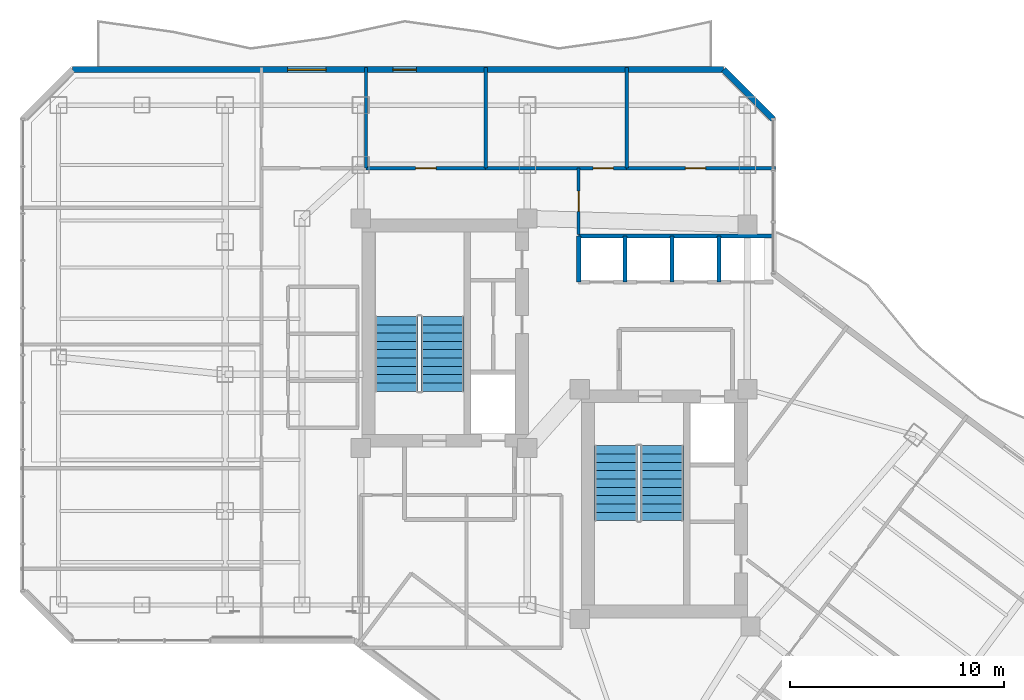
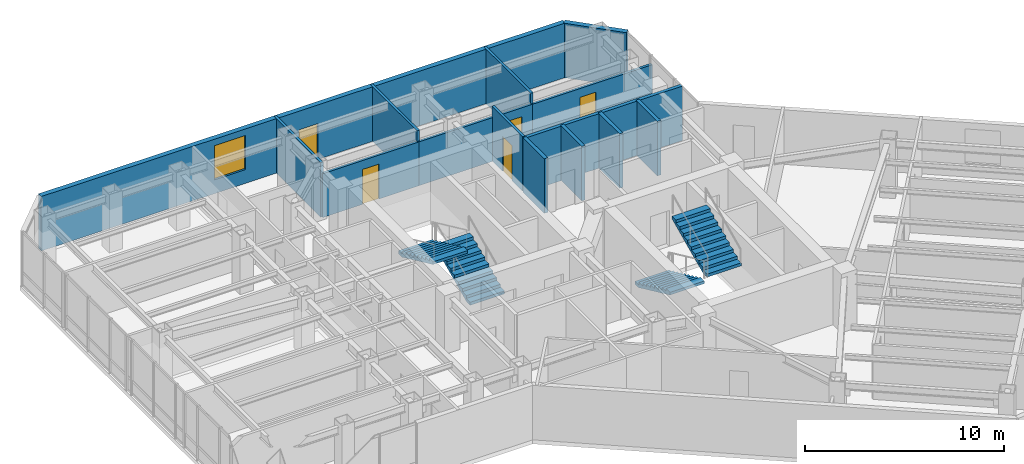
# One storey, part 24 of 27: 14 walls, 5 doors, 4 stair flights, 1 window, 6 openings, 2 elements without a shape of their own.
"""IFC4 building model written with IfcOpenShell, lengths in metres."""

from ifc_helpers import new_model, si_unit, direction, frame, frame_2d, origin, place, context, subcontext, project, spatial, polyline, rectangle, outline, extrude, material, layer, layer_set, type_object, element, fill, aggregate, save


model = new_model("IFC4")

# Units and contexts
model_context = context("Model", 3, precision=1e-05, world=origin(), true_north=direction((0.0, 1.0)))
body_context = subcontext(model_context, "Body", "Model", "MODEL_VIEW")
ifc_project = project(units=[si_unit("LENGTHUNIT", "METRE"), si_unit("AREAUNIT", "SQUARE_METRE"), si_unit("VOLUMEUNIT", "CUBIC_METRE"), si_unit("PLANEANGLEUNIT", "RADIAN"), si_unit("MASSUNIT", "GRAM", prefix="KILO")], contexts=[model_context])

# Site, building, storey
site_placement = place(None, origin())
site = spatial("IfcSite", under=ifc_project, at=site_placement, CompositionType="ELEMENT")
building_placement = place(site_placement, origin())
building = spatial("IfcBuilding", under=site, at=building_placement, Name="Hatsunagi Terrace Concourse", CompositionType="ELEMENT")
storey_placement = place(building_placement, frame((0.0, 0.0, 163.64990234375)))
storey = spatial("IfcBuildingStorey", under=building, at=storey_placement, Name="L43", CompositionType="ELEMENT", Elevation=163.64990234375)

# Wall
ifc_material_1 = material(Name="Acoustic mineral board", Category="gypsum")
ifc_layer_1 = layer(ifc_material_1, 0.14990234375)
ifc_layer_set_1 = layer_set([ifc_layer_1], Name="PartitionWall_EI60_150")
wall_type_1 = type_object("IfcWallType", Name="PartitionWall_EI60_150", PredefinedType="PARTITIONING", material=ifc_layer_set_1)
wall_1_placement = place(storey_placement, frame((25.800048828125, 45.64990234375, 0.0), z_axis=(0.0, 0.0, 1.0), x_axis=(0.0, 1.0, 0.0)))
element("IfcWall", 1, at=wall_1_placement, inside=storey, type_object=wall_type_1, Name="Interior Partition IW-L43-043", PredefinedType="PARTITIONING", context=body_context, shape_type="SweptSolid", body=[
    extrude(rectangle(XDim=4.710205078125, YDim=0.14990234375, at=frame_2d((2.35498046875, 0.0))), origin(), (0.0, 0.0, 1.0), 3.35009765625),
])

# Wall, opening, door
wall_2_placement = place(storey_placement, frame((25.800048828125, 45.64990234375, 0.0), z_axis=(0.0, 0.0, 1.0), x_axis=(1.0, 0.0, 0.0)))
wall_2 = element("IfcWall", 2, at=wall_2_placement, inside=storey, type_object=wall_type_1, Name="Interior Partition IW-L43-044", PredefinedType="PARTITIONING", context=body_context, shape_type="SweptSolid", body=[
    extrude(rectangle(XDim=5.599853515625, YDim=0.14990234375, at=frame_2d((2.7998046875, 0.0))), origin(), (0.0, 0.0, 1.0), 2.695068359375),
])
opening_1_placement = place(wall_2_placement, frame((2.324951171875, 0.0, 0.0)))
opening_1 = element("IfcOpeningElement", 3, at=opening_1_placement, cuts=wall_2, Name="Opening DR-095", PredefinedType="OPENING", context=body_context, shape_type="SweptSolid", body=[
    extrude(rectangle(XDim=0.949951171875, YDim=2.14990234375, at=frame_2d((0.47509765625, 1.074951171875))), frame((0.0, 0.0849609375, 0.0), z_axis=(0.0, -1.0, 0.0), x_axis=(1.0, 0.0, 0.0)), (0.0, 0.0, 1.0), 0.169921875),
])
ifc_material_2 = material(Name="Hardwood timber", Category="wood")
door_type_1 = type_object("IfcDoorType", Name="InteriorSuiteDoor_EI30_950", OperationType="NOTDEFINED", PredefinedType="DOOR", material=ifc_material_2)
door_1_placement = place(opening_1_placement, origin())
door_1 = element("IfcDoor", 4, at=door_1_placement, inside=storey, type_object=door_type_1, Name="Client Consultation Room L43-ON2 Door", OperationType="SINGLE_SWING_RIGHT", OverallHeight=2.14990234375, OverallWidth=0.949951171875, PredefinedType="DOOR", context=body_context, shape_type="SweptSolid", body=[
    extrude(rectangle(XDim=0.949951171875, YDim=2.14990234375, at=frame_2d((0.47509765625, 1.074951171875))), frame((0.0, 0.02490234375, 0.0), z_axis=(0.0, -1.0, 0.0), x_axis=(1.0, 0.0, 0.0)), (0.0, 0.0, 1.0), 0.050048828125),
])
fill(opening_1, door_1)

# Wall
wall_3_placement = place(storey_placement, frame((31.39990234375, 45.64990234375, 0.0), z_axis=(0.0, 0.0, 1.0), x_axis=(0.0, 1.0, 0.0)))
element("IfcWall", 5, at=wall_3_placement, inside=storey, type_object=wall_type_1, Name="Interior Partition IW-L43-045", PredefinedType="PARTITIONING", context=body_context, shape_type="SweptSolid", body=[
    extrude(rectangle(XDim=4.710205078125, YDim=0.14990234375, at=frame_2d((2.35498046875, 0.0))), origin(), (0.0, 0.0, 1.0), 3.35009765625),
])

# Wall, opening, door
wall_4_placement = place(storey_placement, frame((31.39990234375, 45.64990234375, 0.0), z_axis=(0.0, 0.0, 1.0), x_axis=(1.0, 0.0, 0.0)))
wall_4 = element("IfcWall", 6, at=wall_4_placement, inside=storey, type_object=wall_type_1, Name="Interior Partition IW-L43-046", PredefinedType="PARTITIONING", context=body_context, shape_type="SweptSolid", body=[
    extrude(rectangle(XDim=6.60009765625, YDim=0.14990234375, at=frame_2d((3.300048828125, 0.0))), origin(), (0.0, 0.0, 1.0), 2.695068359375),
])
opening_2_placement = place(wall_4_placement, frame((5.02587890625, 0.0, 0.0)))
opening_2 = element("IfcOpeningElement", 7, at=opening_2_placement, cuts=wall_4, Name="Opening DR-095", PredefinedType="OPENING", context=body_context, shape_type="SweptSolid", body=[
    extrude(rectangle(XDim=0.949951171875, YDim=2.14990234375, at=frame_2d((0.47509765625, 1.074951171875))), frame((0.0, 0.0849609375, 0.0), z_axis=(0.0, -1.0, 0.0), x_axis=(1.0, 0.0, 0.0)), (0.0, 0.0, 1.0), 0.169921875),
])
door_2_placement = place(opening_2_placement, origin())
door_2 = element("IfcDoor", 8, at=door_2_placement, inside=storey, type_object=door_type_1, Name="Meeting Room L43-ON3 Door", OperationType="SINGLE_SWING_RIGHT", OverallHeight=2.14990234375, OverallWidth=0.949951171875, PredefinedType="DOOR", context=body_context, shape_type="SweptSolid", body=[
    extrude(rectangle(XDim=0.949951171875, YDim=2.14990234375, at=frame_2d((0.47509765625, 1.074951171875))), frame((0.0, 0.02490234375, 0.0), z_axis=(0.0, -1.0, 0.0), x_axis=(1.0, 0.0, 0.0)), (0.0, 0.0, 1.0), 0.050048828125),
])
fill(opening_2, door_2)

# Wall
wall_5_placement = place(storey_placement, frame((38.0, 45.64990234375, 0.0), z_axis=(0.0, 0.0, 1.0), x_axis=(0.0, 1.0, 0.0)))
element("IfcWall", 9, at=wall_5_placement, inside=storey, type_object=wall_type_1, Name="Interior Partition IW-L43-047", PredefinedType="PARTITIONING", context=body_context, shape_type="SweptSolid", body=[
    extrude(rectangle(XDim=4.710205078125, YDim=0.14990234375, at=frame_2d((2.35498046875, 0.0))), origin(), (0.0, 0.0, 1.0), 3.35009765625),
])

# Wall, opening, door
wall_6_placement = place(storey_placement, frame((38.0, 45.64990234375, 0.0), z_axis=(0.0, 0.0, 1.0), x_axis=(1.0, 0.0, 0.0)))
wall_6 = element("IfcWall", 10, at=wall_6_placement, inside=storey, type_object=wall_type_1, Name="Interior Partition IW-L43-048", PredefinedType="PARTITIONING", context=body_context, shape_type="SweptSolid", body=[
    extrude(rectangle(XDim=6.9599609375, YDim=0.14990234375, at=frame_2d((3.47998046875, 0.0))), origin(), (0.0, 0.0, 1.0), 2.695068359375),
])
opening_3_placement = place(wall_6_placement, frame((2.742919921875, 0.0, 0.0)))
opening_3 = element("IfcOpeningElement", 11, at=opening_3_placement, cuts=wall_6, Name="Opening DR-095", PredefinedType="OPENING", context=body_context, shape_type="SweptSolid", body=[
    extrude(rectangle(XDim=0.949951171875, YDim=2.14990234375, at=frame_2d((0.47509765625, 1.074951171875))), frame((0.0, 0.0849609375, 0.0), z_axis=(0.0, -1.0, 0.0), x_axis=(1.0, 0.0, 0.0)), (0.0, 0.0, 1.0), 0.169921875),
])
door_3_placement = place(opening_3_placement, origin())
door_3 = element("IfcDoor", 12, at=door_3_placement, inside=storey, type_object=door_type_1, Name="Client Consultation Room L43-ON4 Door", OperationType="SINGLE_SWING_RIGHT", OverallHeight=2.14990234375, OverallWidth=0.949951171875, PredefinedType="DOOR", context=body_context, shape_type="SweptSolid", body=[
    extrude(rectangle(XDim=0.949951171875, YDim=2.14990234375, at=frame_2d((0.47509765625, 1.074951171875))), frame((0.0, 0.02490234375, 0.0), z_axis=(0.0, -1.0, 0.0), x_axis=(1.0, 0.0, 0.0)), (0.0, 0.0, 1.0), 0.050048828125),
])
fill(opening_3, door_3)

wall_7_placement = place(storey_placement, frame((35.75, 42.550048828125, 0.0), z_axis=(0.0, 0.0, 1.0), x_axis=(0.0, 1.0, 0.0)))
wall_7 = element("IfcWall", 13, at=wall_7_placement, inside=storey, type_object=wall_type_1, Name="Interior Partition IW-L43-059", PredefinedType="PARTITIONING", context=body_context, shape_type="SweptSolid", body=[
    extrude(rectangle(XDim=3.099853515625, YDim=0.14990234375, at=frame_2d((1.5498046875, 0.0))), origin(), (0.0, 0.0, 1.0), 3.35009765625),
])
opening_4_placement = place(wall_7_placement, frame((1.074951171875, 0.0, 0.0)))
opening_4 = element("IfcOpeningElement", 14, at=opening_4_placement, cuts=wall_7, Name="Opening DR-095", PredefinedType="OPENING", context=body_context, shape_type="SweptSolid", body=[
    extrude(rectangle(XDim=0.949951171875, YDim=2.14990234375, at=frame_2d((0.47509765625, 1.074951171875))), frame((0.0, 0.0849609375, 0.0), z_axis=(0.0, -1.0, 0.0), x_axis=(1.0, 0.0, 0.0)), (0.0, 0.0, 1.0), 0.169921875),
])
door_4_placement = place(opening_4_placement, origin())
door_4 = element("IfcDoor", 15, at=door_4_placement, inside=storey, type_object=door_type_1, Name="Executive Briefing Room L43-ONEB Door", OperationType="SINGLE_SWING_RIGHT", OverallHeight=2.14990234375, OverallWidth=0.949951171875, PredefinedType="DOOR", context=body_context, shape_type="SweptSolid", body=[
    extrude(rectangle(XDim=0.949951171875, YDim=2.14990234375, at=frame_2d((0.47509765625, 1.074951171875))), frame((0.0, 0.02490234375, 0.0), z_axis=(0.0, -1.0, 0.0), x_axis=(1.0, 0.0, 0.0)), (0.0, 0.0, 1.0), 0.050048828125),
])
fill(opening_4, door_4)

# Walls
ifc_material_3 = material(Name="Acoustic mineral board", Category="gypsum")
ifc_layer_2 = layer(ifc_material_3, 0.199951171875)
ifc_layer_set_2 = layer_set([ifc_layer_2], Name="ShaftWall_EI120_200")
wall_type_2 = type_object("IfcWallType", Name="ShaftWall_EI120_200", PredefinedType="STANDARD", material=ifc_layer_set_2)
wall_8_placement = place(storey_placement, frame((35.75, 42.47998046875, 0.0), z_axis=(0.0, 0.0, 1.0), x_axis=(1.0, 0.0, 0.0)))
element("IfcWall", 16, at=wall_8_placement, inside=storey, type_object=wall_type_2, Name="Interior Partition IW-L43-012", PredefinedType="STANDARD", context=body_context, shape_type="SweptSolid", body=[
    extrude(rectangle(XDim=9.110107421875, YDim=0.199951171875, at=frame_2d((4.55517578125, 0.0))), origin(), (0.0, 0.0, 1.0), 3.35009765625),
])
for number, where, z_axis, x_axis, name in (
    (17, (35.75, 40.320068359375, 0.0), (0.0, 0.0, 1.0), (0.0, 1.0, 0.0), "Interior Partition IW-L43-013"),
    (18, (37.919921875, 40.320068359375, 0.0), (0.0, 0.0, 1.0), (0.0, 1.0, 0.0), "Interior Partition IW-L43-014"),
    (19, (40.1201171875, 40.320068359375, 0.0), (0.0, 0.0, 1.0), (0.0, 1.0, 0.0), "Interior Partition IW-L43-015"),
    (20, (42.320068359375, 40.320068359375, 0.0), (0.0, 0.0, 1.0), (0.0, 1.0, 0.0), "Interior Partition IW-L43-016"),
):
    element("IfcWall", number, at=place(storey_placement, frame(where, z_axis=z_axis, x_axis=x_axis)), inside=storey, type_object=wall_type_2, Name=name, PredefinedType="STANDARD", context=body_context, shape_type="SweptSolid", body=[
        extrude(rectangle(XDim=2.159912109375, YDim=0.199951171875, at=frame_2d((1.080078125, 0.0))), origin(), (0.0, 0.0, 1.0), 3.35009765625),
    ])

# Wall, openings, door, window
ifc_material_4 = material(Name="Autoclaved Lightweight Concrete and Terracotta Cladding", Category="masonry")
ifc_layer_3 = layer(ifc_material_4, 0.280029296875)
ifc_layer_set_3 = layer_set([ifc_layer_3], Name="TerracottaSpandrelWall_280")
wall_type_3 = type_object("IfcWallType", Name="TerracottaSpandrelWall_280", PredefinedType="STANDARD", material=ifc_layer_set_3)
wall_9_placement = place(storey_placement, frame((12.05810546875, 50.260009765625, 0.0), z_axis=(0.0, 0.0, 1.0), x_axis=(1.0, 0.0, 0.0)))
wall_9 = element("IfcWall", 21, at=wall_9_placement, inside=storey, type_object=wall_type_3, Name="Exterior Spandrel Wall EW-L43-11", PredefinedType="STANDARD", context=body_context, shape_type="SweptSolid", body=[
    extrude(rectangle(XDim=30.48388671875, YDim=0.280029296875, at=frame_2d((15.241943359375, 0.0))), origin(), (0.0, 0.0, 1.0), 3.35009765625),
])
opening_5_placement = place(wall_9_placement, frame((14.991943359375, 0.0, 0.0)))
opening_5 = element("IfcOpeningElement", 22, at=opening_5_placement, cuts=wall_9, Name="Opening BD-01", PredefinedType="OPENING", context=body_context, shape_type="SweptSolid", body=[
    extrude(rectangle(XDim=1.10009765625, YDim=2.199951171875, at=frame_2d((0.550048828125, 1.10009765625))), frame((0.0, 0.14990234375, 0.0), z_axis=(0.0, -1.0, 0.0), x_axis=(1.0, 0.0, 0.0)), (0.0, 0.0, 1.0), 0.300048828125),
])
opening_6_placement = place(wall_9_placement, frame((10.073974609375, 0.0, 0.85009765625)))
opening_6 = element("IfcOpeningElement", 23, at=opening_6_placement, cuts=wall_9, Name="Opening WIN-03", PredefinedType="OPENING", context=body_context, shape_type="SweptSolid", body=[
    extrude(rectangle(XDim=1.800048828125, YDim=2.10009765625, at=frame_2d((0.89990234375, 1.050048828125))), frame((0.0, 0.14990234375, 0.0), z_axis=(0.0, -1.0, 0.0), x_axis=(1.0, 0.0, 0.0)), (0.0, 0.0, 1.0), 0.300048828125),
])
ifc_material_5 = material(Name="Galvanised Steel and Laminated Safety Glass", Category="steel")
door_type_2 = type_object("IfcDoorType", Name="BalconyTerraceAccessDoor_1100x2200", OperationType="SINGLE_SWING_LEFT", PredefinedType="DOOR", material=ifc_material_5)
door_5_placement = place(opening_5_placement, origin())
door_5 = element("IfcDoor", 24, at=door_5_placement, inside=storey, type_object=door_type_2, Name="Engawa Balcony Door L43-BN", OperationType="SINGLE_SWING_RIGHT", OverallHeight=2.199951171875, OverallWidth=1.10009765625, PredefinedType="DOOR", context=body_context, shape_type="SweptSolid", body=[
    extrude(rectangle(XDim=1.10009765625, YDim=2.199951171875, at=frame_2d((0.550048828125, 1.10009765625))), frame((0.0, 0.02490234375, 0.0), z_axis=(0.0, -1.0, 0.0), x_axis=(1.0, 0.0, 0.0)), (0.0, 0.0, 1.0), 0.050048828125),
])
fill(opening_5, door_5)
ifc_material_6 = material(Name="Thermally Broken Aluminium and Low-E Triple Glazing", Category="aluminium")
window_type = type_object("IfcWindowType", Name="OfficeCornerFeatureWindow_1800x2100", PartitioningType="SINGLE_PANEL", PredefinedType="WINDOW", material=ifc_material_6)
window_placement = place(opening_6_placement, origin())
window = element("IfcWindow", 25, at=window_placement, inside=storey, type_object=window_type, Name="Balcony Daylighting Window L43-11-1", OverallHeight=2.10009765625, OverallWidth=1.800048828125, PartitioningType="SINGLE_PANEL", PredefinedType="WINDOW", context=body_context, shape_type="SweptSolid", body=[
    extrude(rectangle(XDim=1.800048828125, YDim=2.10009765625, at=frame_2d((0.89990234375, 1.050048828125))), frame((0.0, 0.030029296875, 0.0), z_axis=(0.0, -1.0, 0.0), x_axis=(1.0, 0.0, 0.0)), (0.0, 0.0, 1.0), 0.06005859375),
])
fill(opening_6, window)

# Wall
wall_10_placement = place(storey_placement, frame((42.5419921875, 50.260009765625, 0.0), z_axis=(0.0, 0.0, 1.0), x_axis=(0.707106781187, -0.707106781187, 0.0)))
element("IfcWall", 26, at=wall_10_placement, inside=storey, type_object=wall_type_3, Name="Exterior Spandrel Wall EW-L43-12", PredefinedType="STANDARD", context=body_context, shape_type="SweptSolid", body=[
    extrude(rectangle(XDim=3.2783203125, YDim=0.280029296875, at=frame_2d((1.63916015625, 0.0))), origin(), (0.0, 0.0, 1.0), 3.35009765625),
])

# Stair, stair flights
ifc_material_7 = material(Name="Concrete Fc42", Category="concrete")
stair_type = type_object("IfcStairType", Name="DoglegExitStair_Tower2000_20R_180", PredefinedType="HALF_TURN_STAIR", material=ifc_material_7)
stair_1_placement = place(storey_placement, origin())
stair_1 = element("IfcStair", 27, at=stair_1_placement, inside=storey, type_object=stair_type, Name="L43 Core A Protected Exit Stair ST-A", PredefinedType="HALF_TURN_STAIR")
ifc_material_8 = material(Name="Concrete Fc42", Category="concrete")
stair_flight_type = type_object("IfcStairFlightType", Name="DoglegStairFlight_Tower2000_20R_180", PredefinedType="STRAIGHT", material=ifc_material_8)
stair_flight_1_placement = place(storey_placement, frame((29.3798828125, 35.199951171875, 0.0), z_axis=(0.0, 0.0, 1.0), x_axis=(0.0, 1.0, 0.0)))
stair_flight_1 = element("IfcStairFlight", 28, at=stair_flight_1_placement, type_object=stair_flight_type, Name="ST-A flight 1", NumberOfRisers=10, NumberOfTreads=9, PredefinedType="STRAIGHT", RiserHeight=0.18, TreadLength=0.39, context=body_context, shape_type="SweptSolid", body=[
    extrude(outline(polyline([(0.0, 0.0), (0.0, 0.179931640625), (0.389892578125, 0.179931640625), (0.389892578125, 0.360107421875), (0.780029296875, 0.360107421875), (0.780029296875, 0.5400390625), (1.169921875, 0.5400390625), (1.169921875, 0.719970703125), (1.56005859375, 0.719970703125), (1.56005859375, 0.89990234375), (1.949951171875, 0.89990234375), (1.949951171875, 1.080078125), (2.340087890625, 1.080078125), (2.340087890625, 1.260009765625), (2.72998046875, 1.260009765625), (2.72998046875, 1.43994140625), (3.1201171875, 1.43994140625), (3.1201171875, 1.6201171875), (3.510009765625, 1.6201171875), (3.510009765625, 1.800048828125), (3.510009765625, 1.454833984375), (0.357666015625, 0.0), (0.0, 0.0)])), frame((0.0, 1.0, 0.0), z_axis=(0.0, -1.0, 0.0), x_axis=(1.0, 0.0, 0.0)), (0.0, 0.0, 1.0), 2.0),
])
stair_flight_2_placement = place(storey_placement, frame((27.22998046875, 38.7099609375, 1.800048828125), z_axis=(0.0, 0.0, 1.0), x_axis=(0.0, -1.0, 0.0)))
stair_flight_2 = element("IfcStairFlight", 29, at=stair_flight_2_placement, type_object=stair_flight_type, Name="ST-A flight 2", NumberOfRisers=10, NumberOfTreads=9, PredefinedType="STRAIGHT", RiserHeight=0.18, TreadLength=0.39, context=body_context, shape_type="SweptSolid", body=[
    extrude(outline(polyline([(0.0, 0.0), (0.0, 0.179931640625), (0.389892578125, 0.179931640625), (0.389892578125, 0.360107421875), (0.780029296875, 0.360107421875), (0.780029296875, 0.5400390625), (1.169921875, 0.5400390625), (1.169921875, 0.719970703125), (1.56005859375, 0.719970703125), (1.56005859375, 0.89990234375), (1.949951171875, 0.89990234375), (1.949951171875, 1.080078125), (2.340087890625, 1.080078125), (2.340087890625, 1.260009765625), (2.72998046875, 1.260009765625), (2.72998046875, 1.43994140625), (3.1201171875, 1.43994140625), (3.1201171875, 1.6201171875), (3.510009765625, 1.6201171875), (3.510009765625, 1.800048828125), (3.510009765625, 1.454833984375), (0.357666015625, 0.0), (0.0, 0.0)])), frame((0.0, 1.0, 0.0), z_axis=(0.0, -1.0, 0.0), x_axis=(1.0, 0.0, 0.0)), (0.0, 0.0, 1.0), 2.0),
])
aggregate(stair_1, [stair_flight_1, stair_flight_2])

stair_2_placement = place(storey_placement, origin())
stair_2 = element("IfcStair", 30, at=stair_2_placement, inside=storey, type_object=stair_type, Name="L43 Core B Protected Exit Stair ST-B", PredefinedType="HALF_TURN_STAIR")
stair_flight_3_placement = place(storey_placement, frame((37.5, 32.659912109375, 0.0), z_axis=(0.0, 0.0, 1.0), x_axis=(0.0, -1.0, 0.0)))
stair_flight_3 = element("IfcStairFlight", 31, at=stair_flight_3_placement, type_object=stair_flight_type, Name="ST-B flight 1", NumberOfRisers=10, NumberOfTreads=9, PredefinedType="STRAIGHT", RiserHeight=0.18, TreadLength=0.39, context=body_context, shape_type="SweptSolid", body=[
    extrude(outline(polyline([(0.0, 0.0), (0.0, 0.179931640625), (0.389892578125, 0.179931640625), (0.389892578125, 0.360107421875), (0.780029296875, 0.360107421875), (0.780029296875, 0.5400390625), (1.169921875, 0.5400390625), (1.169921875, 0.719970703125), (1.56005859375, 0.719970703125), (1.56005859375, 0.89990234375), (1.949951171875, 0.89990234375), (1.949951171875, 1.080078125), (2.340087890625, 1.080078125), (2.340087890625, 1.260009765625), (2.72998046875, 1.260009765625), (2.72998046875, 1.43994140625), (3.1201171875, 1.43994140625), (3.1201171875, 1.6201171875), (3.510009765625, 1.6201171875), (3.510009765625, 1.800048828125), (3.510009765625, 1.454833984375), (0.357666015625, 0.0), (0.0, 0.0)])), frame((0.0, 1.0, 0.0), z_axis=(0.0, -1.0, 0.0), x_axis=(1.0, 0.0, 0.0)), (0.0, 0.0, 1.0), 2.0),
])
stair_flight_4_placement = place(storey_placement, frame((39.64990234375, 29.14990234375, 1.800048828125), z_axis=(0.0, 0.0, 1.0), x_axis=(0.0, 1.0, 0.0)))
stair_flight_4 = element("IfcStairFlight", 32, at=stair_flight_4_placement, type_object=stair_flight_type, Name="ST-B flight 2", NumberOfRisers=10, NumberOfTreads=9, PredefinedType="STRAIGHT", RiserHeight=0.18, TreadLength=0.39, context=body_context, shape_type="SweptSolid", body=[
    extrude(outline(polyline([(0.0, 0.0), (0.0, 0.179931640625), (0.389892578125, 0.179931640625), (0.389892578125, 0.360107421875), (0.780029296875, 0.360107421875), (0.780029296875, 0.5400390625), (1.169921875, 0.5400390625), (1.169921875, 0.719970703125), (1.56005859375, 0.719970703125), (1.56005859375, 0.89990234375), (1.949951171875, 0.89990234375), (1.949951171875, 1.080078125), (2.340087890625, 1.080078125), (2.340087890625, 1.260009765625), (2.72998046875, 1.260009765625), (2.72998046875, 1.43994140625), (3.1201171875, 1.43994140625), (3.1201171875, 1.6201171875), (3.510009765625, 1.6201171875), (3.510009765625, 1.800048828125), (3.510009765625, 1.454833984375), (0.357666015625, 0.0), (0.0, 0.0)])), frame((0.0, 1.0, 0.0), z_axis=(0.0, -1.0, 0.0), x_axis=(1.0, 0.0, 0.0)), (0.0, 0.0, 1.0), 2.0),
])
aggregate(stair_2, [stair_flight_3, stair_flight_4])

save(model, "model.ifc")
